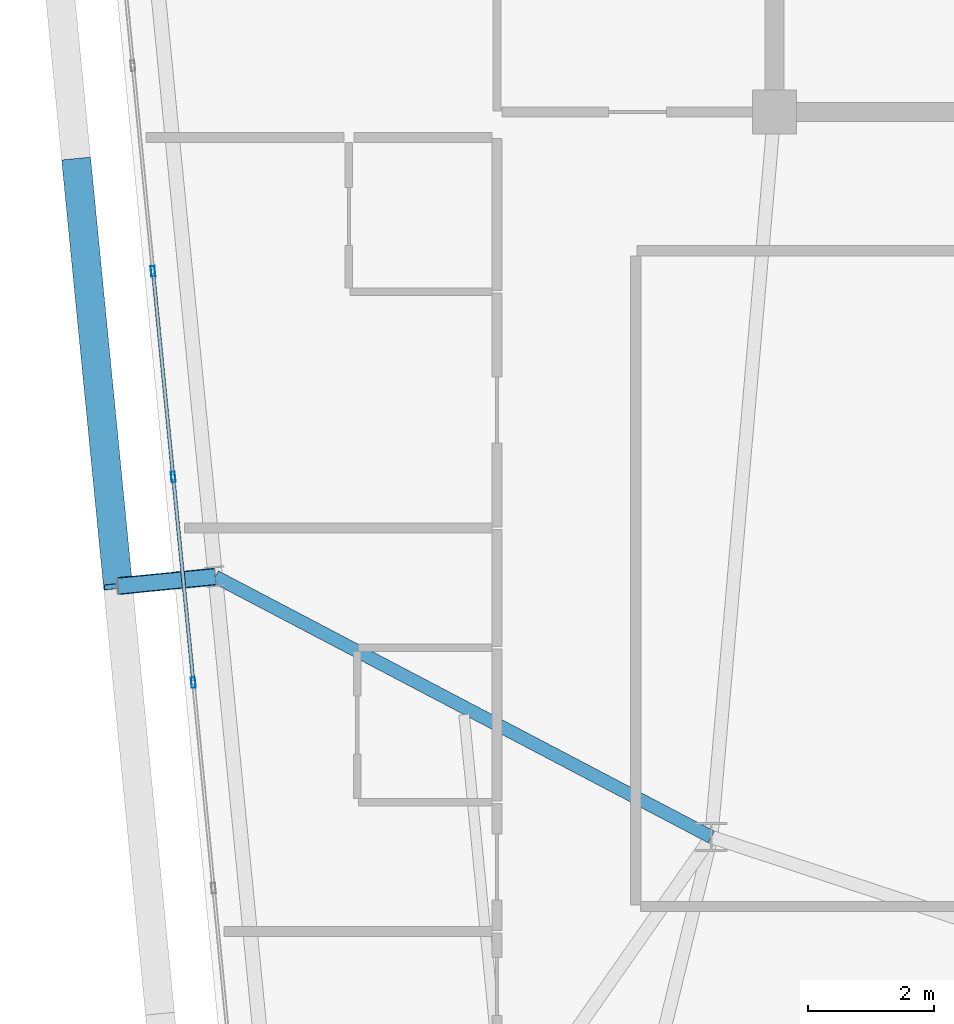
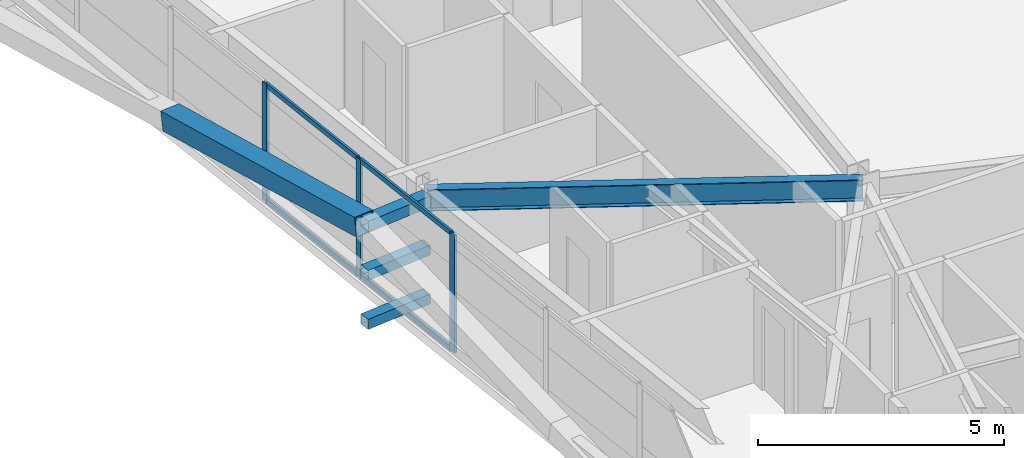
# One storey, part 13 of 53: 11 members, 1 beam, 1 element without a shape of its own.
"""IFC4 building model written with IfcOpenShell, lengths in metres."""

from ifc_helpers import new_model, si_unit, direction, frame, origin, origin_2d, place, context, subcontext, project, spatial, hollow_rectangle, i_section, extrude, source, transform, mapped, material, layer, layer_set, material_profile, profile_set, type_object, element, aggregate, save


model = new_model("IFC4")

# Units and contexts
model_context = context("Model", 3, precision=1e-05, world=origin(), true_north=direction((0.0, 1.0)))
body_context = subcontext(model_context, "Body", "Model", "MODEL_VIEW")
ifc_project = project(units=[si_unit("LENGTHUNIT", "METRE"), si_unit("AREAUNIT", "SQUARE_METRE"), si_unit("VOLUMEUNIT", "CUBIC_METRE"), si_unit("PLANEANGLEUNIT", "RADIAN"), si_unit("MASSUNIT", "GRAM", prefix="KILO")], contexts=[model_context])

# Site, building, storey
site_placement = place(None, origin())
site = spatial("IfcSite", under=ifc_project, at=site_placement, CompositionType="ELEMENT")
building_placement = place(site_placement, origin())
building = spatial("IfcBuilding", under=site, at=building_placement, Name="Taldren Reach Tower", CompositionType="ELEMENT")
storey_placement = place(building_placement, frame((0.0, 0.0, 80.85009765625)))
storey = spatial("IfcBuildingStorey", under=building, at=storey_placement, Name="L24", CompositionType="ELEMENT", Elevation=80.85009765625)

# Beam
ifc_material_1 = material(Name="Steel Gr 350 (350PLUS)", Category="steel")
ifc_material_profile_1 = material_profile(ifc_material_1, i_section(OverallWidth=0.208984375, OverallDepth=0.532958984375, WebThickness=0.01025390625, FlangeThickness=0.015625, at=origin_2d()), Name="530UB92.4")
ifc_profile_set_1 = profile_set([ifc_material_profile_1], Name="Steel Gr 350 (350PLUS)")
beam_type = type_object("IfcBeamType", Name="BM-UB530A", PredefinedType="BEAM", material=ifc_profile_set_1)
shared_shape_1 = source(origin(), body_context, "Body", "SweptSolid", [
    extrude(i_section(OverallWidth=0.208984375, OverallDepth=0.532958984375, WebThickness=0.01025390625, FlangeThickness=0.015625, at=origin_2d()), origin(), (0.0, 0.0, 1.0), 8.8876953125),
])
beam_placement = place(storey_placement, frame((18.0, 12.5, 2.663330078125), z_axis=(-0.885412881876, 0.464805366371, 0.0), x_axis=(-0.464805366371, -0.885412881876, 0.0)))
element("IfcBeam", 1, at=beam_placement, inside=storey, type_object=beam_type, Name="Primary floor girder B2-W2 L24", PredefinedType="BEAM", context=body_context, shape_type="MappedRepresentation", body=[
    mapped(shared_shape_1, transform((0.0, 0.0, 0.0), scale=1.0)),
])

# Members
ifc_material_2 = material(Name="Steel Gr 450 (C450L0)", Category="steel")
ifc_material_profile_2 = material_profile(ifc_material_2, hollow_rectangle(XDim=0.27490234375, YDim=0.27490234375, WallThickness=0.00927734375, at=origin_2d()), Name="275x275x9.3SHS")
ifc_profile_set_2 = profile_set([ifc_material_profile_2], Name="Steel Gr 450 (C450L0)")
member_type_1 = type_object("IfcMemberType", Name="MB-TIE273", PredefinedType="STRUT", material=ifc_profile_set_2)
shared_shape_2 = source(origin(), body_context, "Body", "SweptSolid", [
    extrude(hollow_rectangle(XDim=0.27490234375, YDim=0.27490234375, WallThickness=0.00927734375, at=origin_2d()), origin(), (0.0, 0.0, 1.0), 1.550048828125),
])
member_1_placement = place(storey_placement, frame((10.130615234375, 16.631103515625, 2.64990234375), z_axis=(-0.9952210252, -0.097647892962, 0.0), x_axis=(0.097647892962, -0.9952210252, 0.0)))
element("IfcMember", 2, at=member_1_placement, inside=storey, type_object=member_type_1, Name="Exoskeleton diaphragm tie strut B2-W2 L24", PredefinedType="STRUT", context=body_context, shape_type="MappedRepresentation", body=[
    mapped(shared_shape_2, transform((0.0, 0.0, 0.0), scale=1.0)),
])
ifc_material_3 = material(Name="Steel Gr 350 (C350L0)", Category="steel")
ifc_material_profile_3 = material_profile(ifc_material_3, hollow_rectangle(XDim=0.25, YDim=0.25, WallThickness=0.010009765625, at=origin_2d()), Name="250x250x10.0SHS")
ifc_profile_set_3 = profile_set([ifc_material_profile_3], Name="Steel Gr 350 (C350L0)")
member_type_2 = type_object("IfcMemberType", Name="MB-POST250", PredefinedType="POST", material=ifc_profile_set_3)
shared_shape_3 = source(origin(), body_context, "Body", "SweptSolid", [
    extrude(hollow_rectangle(XDim=0.25, YDim=0.25, WallThickness=0.010009765625, at=origin_2d()), origin(), (0.0, 0.0, 1.0), 1.550048828125),
])
for number, where, z_axis, x_axis, name in (
    (3, (10.130615234375, 16.631103515625, 0.219970703125), (-0.9952210252, -0.097647892962, 0.0), (0.097647892962, -0.9952210252, 0.0), "Exoskeleton base diaphragm tie strut B2-W2 L24"),
    (4, (10.130615234375, 16.631103515625, 1.434814453125), (-0.9952210252, -0.097647892962, 0.0), (0.097647892962, -0.9952210252, 0.0), "Exoskeleton mid-tier diaphragm tie B2-W2 L24"),
):
    element("IfcMember", number, at=place(storey_placement, frame(where, z_axis=z_axis, x_axis=x_axis)), inside=storey, type_object=member_type_2, Name=name, PredefinedType="POST", context=body_context, shape_type="MappedRepresentation", body=[
        mapped(shared_shape_3, transform((0.0, 0.0, 0.0), scale=1.0)),
    ])
ifc_material_profile_4 = material_profile(ifc_material_2, hollow_rectangle(XDim=0.4599609375, YDim=0.4599609375, WallThickness=0.01611328125, at=origin_2d()), Name="460x460x16.0SHS")
ifc_profile_set_4 = profile_set([ifc_material_profile_4], Name="Steel Gr 450 (C450L0)")
member_type_3 = type_object("IfcMemberType", Name="MB-EXO457", PredefinedType="BRACE", material=ifc_profile_set_4)
shared_shape_4 = source(origin(), body_context, "Body", "SweptSolid", [
    extrude(hollow_rectangle(XDim=0.4599609375, YDim=0.4599609375, WallThickness=0.01611328125, at=origin_2d()), origin(), (0.0, 0.0, 1.0), 6.883056640625),
])
member_2_placement = place(storey_placement, frame((7.9267578125, 23.222412109375, 1.434814453125), z_axis=(0.09605145821, -0.97959718347, 0.176531797456), x_axis=(0.995227290009, 0.097584021339, 0.0)))
element("IfcMember", 5, at=member_2_placement, inside=storey, type_object=member_type_3, Name="Exoskeleton Diagrid Brace B2-W2 L24", PredefinedType="BRACE", context=body_context, shape_type="MappedRepresentation", body=[
    mapped(shared_shape_4, transform((0.0, 0.0, 0.0), scale=1.0)),
])

# Curtain wall, members
ifc_material_4 = material(Name="Aluminium and Low-E Glass Unitised System", Category="aluminium")
ifc_layer = layer(ifc_material_4, 0.159912109375)
ifc_layer_set = layer_set([ifc_layer], Name="Aluminium and Low-E Glass Unitised System")
curtain_wall_type = type_object("IfcCurtainWallType", Name="CW-SYS-3", PredefinedType="NOTDEFINED", material=ifc_layer_set)
curtain_wall_placement = place(storey_placement, origin())
curtain_wall = element("IfcCurtainWall", 6, at=curtain_wall_placement, inside=storey, type_object=curtain_wall_type, Name="Unitised curtain wall CW-L24-W", PredefinedType="NOTDEFINED")
ifc_material_5 = material(Name="Anodised Aluminium 6063-T6", Category="aluminium")
ifc_material_profile_5 = material_profile(ifc_material_5, hollow_rectangle(XDim=0.06494140625, YDim=0.1650390625, WallThickness=0.00390625, at=origin_2d()), Name="ALU-165x65x4RHS")
ifc_profile_set_5 = profile_set([ifc_material_profile_5], Name="Anodised Aluminium 6063-T6")
member_type_4 = type_object("IfcMemberType", Name="CW-MUL-165", PredefinedType="MULLION", material=ifc_profile_set_5)
shared_shape_5 = source(origin(), body_context, "Body", "SweptSolid", [
    extrude(hollow_rectangle(XDim=0.06494140625, YDim=0.1650390625, WallThickness=0.00390625, at=origin_2d()), origin(), (0.0, 0.0, 1.0), 2.929931640625),
])
member_3_placement = place(storey_placement, frame((9.14306640625, 21.474609375, 0.0), z_axis=(0.0, 0.0, 1.0), x_axis=(0.99522741555, 0.09758274098, 0.0)))
member_3 = element("IfcMember", 7, at=member_3_placement, type_object=member_type_4, Name="CW-3 mullion 4", PredefinedType="MULLION", context=body_context, shape_type="MappedRepresentation", body=[
    mapped(shared_shape_5, transform((0.0, 0.0, 0.0), scale=1.0)),
])
member_4_placement = place(storey_placement, frame((9.463134765625, 18.21240234375, 0.0), z_axis=(0.0, 0.0, 1.0), x_axis=(0.99522741555, 0.09758274098, 0.0)))
member_4 = element("IfcMember", 8, at=member_4_placement, type_object=member_type_4, Name="CW-3 mullion 5", PredefinedType="MULLION", context=body_context, shape_type="MappedRepresentation", body=[
    mapped(shared_shape_5, transform((0.0, 0.0, 0.0), scale=1.0)),
])
member_5_placement = place(storey_placement, frame((9.782958984375, 14.9501953125, 0.0), z_axis=(0.0, 0.0, 1.0), x_axis=(0.99522741555, 0.09758274098, 0.0)))
member_5 = element("IfcMember", 9, at=member_5_placement, type_object=member_type_4, Name="CW-3 mullion 6", PredefinedType="MULLION", context=body_context, shape_type="MappedRepresentation", body=[
    mapped(shared_shape_5, transform((0.0, 0.0, 0.0), scale=1.0)),
])
ifc_material_profile_6 = material_profile(ifc_material_5, hollow_rectangle(XDim=0.054931640625, YDim=0.1201171875, WallThickness=0.0029296875, at=origin_2d()), Name="ALU-120x55x3RHS")
ifc_profile_set_6 = profile_set([ifc_material_profile_6], Name="Anodised Aluminium 6063-T6")
member_type_5 = type_object("IfcMemberType", Name="CW-TRN-135", PredefinedType="USERDEFINED", material=ifc_profile_set_6)
shared_shape_6 = source(origin(), body_context, "Body", "SweptSolid", [
    extrude(hollow_rectangle(XDim=0.054931640625, YDim=0.1201171875, WallThickness=0.0029296875, at=origin_2d()), origin(), (0.0, 0.0, 1.0), 3.212890625),
])
member_6_placement = place(storey_placement, frame((9.46630859375, 18.18017578125, 0.02734375), z_axis=(0.097569948235, -0.995228669805, 0.0), x_axis=(0.995228669805, 0.097569948235, 0.0)))
member_6 = element("IfcMember", 10, at=member_6_placement, type_object=member_type_5, Name="CW-3 transom 5.1", ObjectType="TRANSOM", PredefinedType="USERDEFINED", context=body_context, shape_type="MappedRepresentation", body=[
    mapped(shared_shape_6, transform((0.0, 0.0, 0.0), scale=1.0)),
])
member_7_placement = place(storey_placement, frame((9.46630859375, 18.18017578125, 2.90234375), z_axis=(0.097569948235, -0.995228669805, 0.0), x_axis=(0.995228669805, 0.097569948235, 0.0)))
member_7 = element("IfcMember", 11, at=member_7_placement, type_object=member_type_5, Name="CW-3 transom 5.2", ObjectType="TRANSOM", PredefinedType="USERDEFINED", context=body_context, shape_type="MappedRepresentation", body=[
    mapped(shared_shape_6, transform((0.0, 0.0, 0.0), scale=1.0)),
])
shared_shape_7 = source(origin(), body_context, "Body", "SweptSolid", [
    extrude(hollow_rectangle(XDim=0.054931640625, YDim=0.1201171875, WallThickness=0.0029296875, at=origin_2d()), origin(), (0.0, 0.0, 1.0), 3.212646484375),
])
member_8_placement = place(storey_placement, frame((9.146240234375, 21.442138671875, 0.02734375), z_axis=(0.097652598057, -0.99522056354, 0.0), x_axis=(0.99522056354, 0.097652598057, 0.0)))
member_8 = element("IfcMember", 12, at=member_8_placement, type_object=member_type_5, Name="CW-3 transom 4.1", ObjectType="TRANSOM", PredefinedType="USERDEFINED", context=body_context, shape_type="MappedRepresentation", body=[
    mapped(shared_shape_7, transform((0.0, 0.0, 0.0), scale=1.0)),
])
member_9_placement = place(storey_placement, frame((9.146240234375, 21.442138671875, 2.90234375), z_axis=(0.097652598057, -0.99522056354, 0.0), x_axis=(0.99522056354, 0.097652598057, 0.0)))
member_9 = element("IfcMember", 13, at=member_9_placement, type_object=member_type_5, Name="CW-3 transom 4.2", ObjectType="TRANSOM", PredefinedType="USERDEFINED", context=body_context, shape_type="MappedRepresentation", body=[
    mapped(shared_shape_7, transform((0.0, 0.0, 0.0), scale=1.0)),
])
aggregate(curtain_wall, [member_3, member_4, member_5, member_8, member_9, member_6, member_7])

save(model, "model.ifc")
